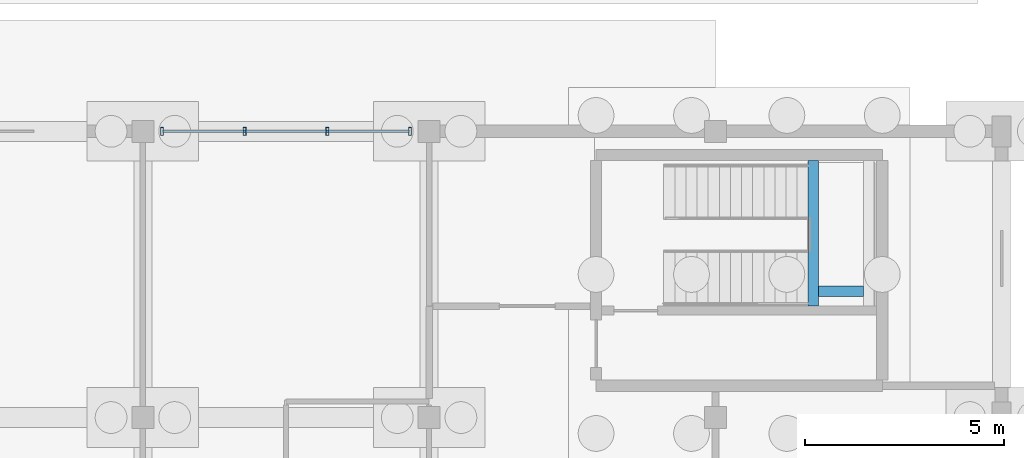
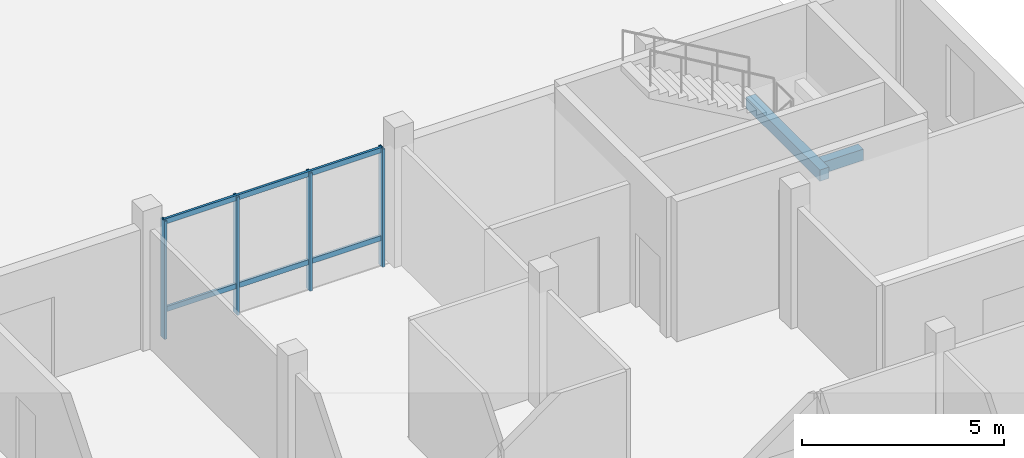
# One storey, part 47 of 98: 6 members, 2 beams, 1 element without a shape of its own.
"""IFC4 building model written with IfcOpenShell, lengths in metres."""

from ifc_helpers import new_model, si_unit, direction, frame, origin, origin_2d, place, context, subcontext, project, spatial, rectangle, hollow_rectangle, extrude, material, material_profile, profile_set, type_object, element, aggregate, save


model = new_model("IFC4")

# Units and contexts
model_context = context("Model", 3, precision=1e-05, world=origin(), true_north=direction((0.0, 1.0)))
body_context = subcontext(model_context, "Body", "Model", "MODEL_VIEW")
ifc_project = project(units=[si_unit("LENGTHUNIT", "METRE"), si_unit("AREAUNIT", "SQUARE_METRE"), si_unit("VOLUMEUNIT", "CUBIC_METRE"), si_unit("PLANEANGLEUNIT", "RADIAN"), si_unit("MASSUNIT", "GRAM", prefix="KILO")], contexts=[model_context])

# Site, building, storey
site_placement = place(None, origin())
site = spatial("IfcSite", under=ifc_project, at=site_placement, CompositionType="ELEMENT")
building_placement = place(site_placement, origin())
building = spatial("IfcBuilding", under=site, at=building_placement, Name="Zornivar Specialist Clinic", CompositionType="ELEMENT")
storey_placement = place(building_placement, origin())
storey = spatial("IfcBuildingStorey", under=building, at=storey_placement, Name="L00", CompositionType="ELEMENT", Elevation=0.0)

# Beams
ifc_material_1 = material(Name="Concrete C30/37", Category="concrete")
ifc_material_profile_1 = material_profile(ifc_material_1, rectangle(XDim=0.260009765625, YDim=0.340087890625, at=origin_2d()), Name="RC 260x340")
ifc_profile_set_1 = profile_set([ifc_material_profile_1], Name="Concrete C30/37")
beam_type = type_object("IfcBeamType", Name="BM-LAND-260x340", PredefinedType="BEAM", material=ifc_profile_set_1)
beam_1_placement = place(storey_placement, frame((160.860107421875, 17.199951171875, 1.8701171875), z_axis=(0.0, 1.0, 0.0), x_axis=(-1.0, 0.0, 0.0)))
element("IfcBeam", 1, at=beam_1_placement, inside=storey, type_object=beam_type, Name="bm:stair:C6:L00:lW", PredefinedType="BEAM", context=body_context, shape_type="SweptSolid", body=[
    extrude(rectangle(XDim=0.260009765625, YDim=0.340087890625, at=origin_2d()), origin(), (0.0, 0.0, 1.0), 3.66015625),
])
beam_2_placement = place(storey_placement, frame((160.9951171875, 17.580078125, 1.8701171875), z_axis=(1.0, 0.0, 0.0), x_axis=(0.0, 1.0, 0.0)))
element("IfcBeam", 2, at=beam_2_placement, inside=storey, type_object=beam_type, Name="bm:stair:C6:L00:lS", PredefinedType="BEAM", context=body_context, shape_type="SweptSolid", body=[
    extrude(rectangle(XDim=0.260009765625, YDim=0.340087890625, at=origin_2d()), origin(), (0.0, 0.0, 1.0), 1.1298828125),
])

# Curtain wall, members
ifc_material_2 = material(Name="Aluminium and Low-E Glass Curtain Wall", Category="aluminium")
curtain_wall_type = type_object("IfcCurtainWallType", Name="CW-WINTERGARDEN", PredefinedType="NOTDEFINED", material=ifc_material_2)
curtain_wall_placement = place(storey_placement, origin())
curtain_wall = element("IfcCurtainWall", 3, at=curtain_wall_placement, inside=storey, type_object=curtain_wall_type, Name="cw:V4:L00:11", PredefinedType="NOTDEFINED")
ifc_material_3 = material(Name="Aluminium AW-6060", Category="aluminium")
ifc_material_profile_2 = material_profile(ifc_material_3, hollow_rectangle(XDim=0.070068359375, YDim=0.199951171875, WallThickness=0.0048828125, at=origin_2d()), Name="ALU 70x200x5")
ifc_profile_set_2 = profile_set([ifc_material_profile_2], Name="Aluminium AW-6060")
member_type_1 = type_object("IfcMemberType", Name="CWM-MUL-200", PredefinedType="MULLION", material=ifc_profile_set_2)
member_1_placement = place(storey_placement, frame((150.719970703125, 21.60009765625, 0.0), z_axis=(0.0, 0.0, 1.0), x_axis=(1.0, 0.0, 0.0)))
member_1 = element("IfcMember", 4, at=member_1_placement, type_object=member_type_1, Name="cw:V4:L00:11:mul:0", PredefinedType="MULLION", context=body_context, shape_type="SweptSolid", body=[
    extrude(hollow_rectangle(XDim=0.070068359375, YDim=0.199951171875, WallThickness=0.0048828125, at=origin_2d()), origin(), (0.0, 0.0, 1.0), 3.580078125),
])
member_2_placement = place(storey_placement, frame((148.639892578125, 21.60009765625, 0.0), z_axis=(0.0, 0.0, 1.0), x_axis=(1.0, 0.0, 0.0)))
member_2 = element("IfcMember", 5, at=member_2_placement, type_object=member_type_1, Name="cw:V4:L00:11:mul:1", PredefinedType="MULLION", context=body_context, shape_type="SweptSolid", body=[
    extrude(hollow_rectangle(XDim=0.070068359375, YDim=0.199951171875, WallThickness=0.0048828125, at=origin_2d()), origin(), (0.0, 0.0, 1.0), 3.580078125),
])
member_3_placement = place(storey_placement, frame((146.56005859375, 21.60009765625, 0.0), z_axis=(0.0, 0.0, 1.0), x_axis=(1.0, 0.0, 0.0)))
member_3 = element("IfcMember", 6, at=member_3_placement, type_object=member_type_1, Name="cw:V4:L00:11:mul:2", PredefinedType="MULLION", context=body_context, shape_type="SweptSolid", body=[
    extrude(hollow_rectangle(XDim=0.070068359375, YDim=0.199951171875, WallThickness=0.0048828125, at=origin_2d()), origin(), (0.0, 0.0, 1.0), 3.580078125),
])
member_4_placement = place(storey_placement, frame((144.47998046875, 21.60009765625, 0.0), z_axis=(0.0, 0.0, 1.0), x_axis=(1.0, 0.0, 0.0)))
member_4 = element("IfcMember", 7, at=member_4_placement, type_object=member_type_1, Name="cw:V4:L00:11:mul:3", PredefinedType="MULLION", context=body_context, shape_type="SweptSolid", body=[
    extrude(hollow_rectangle(XDim=0.070068359375, YDim=0.199951171875, WallThickness=0.0048828125, at=origin_2d()), origin(), (0.0, 0.0, 1.0), 3.580078125),
])
ifc_material_4 = material(Name="Aluminium AW-6060", Category="aluminium")
ifc_material_profile_3 = material_profile(ifc_material_4, hollow_rectangle(XDim=0.070068359375, YDim=0.155029296875, WallThickness=0.00439453125, at=origin_2d()), Name="ALU 70x155x4.5")
ifc_profile_set_3 = profile_set([ifc_material_profile_3], Name="Aluminium AW-6060")
member_type_2 = type_object("IfcMemberType", Name="CWM-TRN-155", PredefinedType="USERDEFINED", material=ifc_profile_set_3)
member_5_placement = place(storey_placement, frame((150.719970703125, 21.60009765625, 0.85009765625), z_axis=(-1.0, 0.0, 0.0), x_axis=(0.0, -1.0, 0.0)))
member_5 = element("IfcMember", 8, at=member_5_placement, type_object=member_type_2, Name="cw:V4:L00:11:trn:0", ObjectType="TRANSOM", PredefinedType="USERDEFINED", context=body_context, shape_type="SweptSolid", body=[
    extrude(hollow_rectangle(XDim=0.070068359375, YDim=0.155029296875, WallThickness=0.00439453125, at=origin_2d()), origin(), (0.0, 0.0, 1.0), 6.239990234375),
])
member_6_placement = place(storey_placement, frame((150.719970703125, 21.60009765625, 3.514892578125), z_axis=(-1.0, 0.0, 0.0), x_axis=(0.0, -1.0, 0.0)))
member_6 = element("IfcMember", 9, at=member_6_placement, type_object=member_type_2, Name="cw:V4:L00:11:trn:1", ObjectType="TRANSOM", PredefinedType="USERDEFINED", context=body_context, shape_type="SweptSolid", body=[
    extrude(hollow_rectangle(XDim=0.070068359375, YDim=0.155029296875, WallThickness=0.00439453125, at=origin_2d()), origin(), (0.0, 0.0, 1.0), 6.239990234375),
])
aggregate(curtain_wall, [member_1, member_2, member_3, member_4, member_5, member_6])

save(model, "model.ifc")
